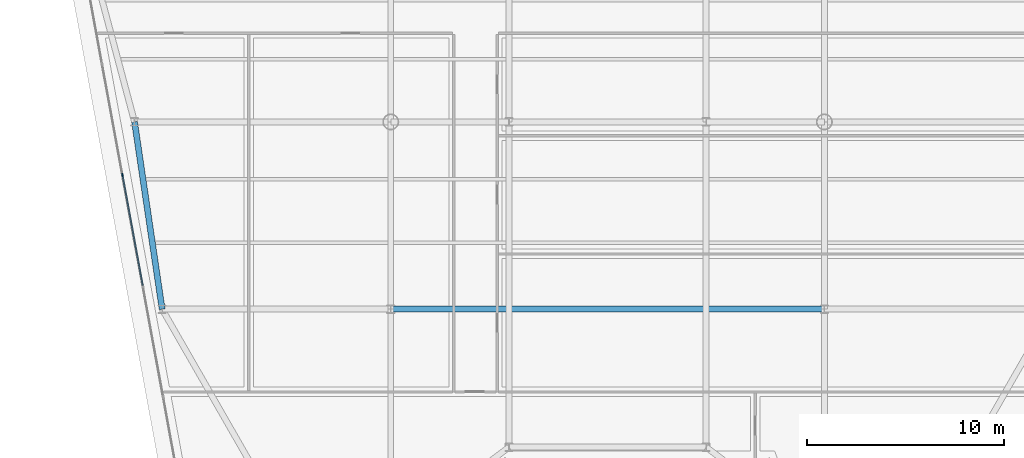
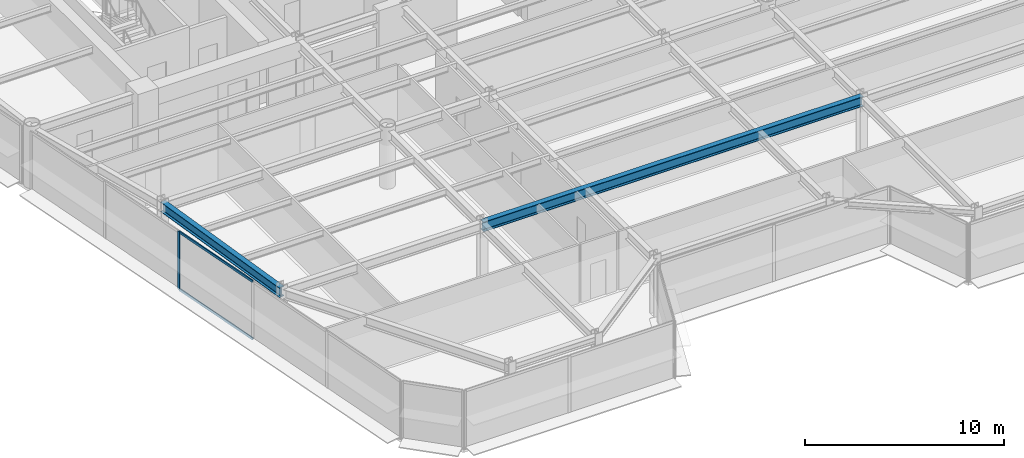
# One storey, part 3 of 16: 3 members, 2 beams, 1 element without a shape of its own.
"""IFC4 building model written with IfcOpenShell, lengths in metres."""

import ifcopenshell
import ifcopenshell.guid

model = None  # the IFC model being written
_history = None  # IfcOwnerHistory: only IFC2X3 demands one
_inside = {}  # id of a spatial element -> (the spatial element, [elements in it])
_under = {}  # id of a project, library or spatial element -> (it, [spatial elements below it])
_declared = {}  # id of a project -> (the project, [libraries it declares])
_typed = {}  # id of a type object -> (the type object, [elements of that type])
_made_of = {}  # id of a material, layer set ... -> (it, [elements and type objects made of it])


def new_model(schema):
    """Start an empty IFC model of exactly this schema.

    Asked for "IFC4X3", IfcOpenShell would pick the latest addendum, in which some entities
    have other attributes; the version numbers below select the first issue.
    IFC2X3 requires an IfcOwnerHistory on every rooted entity: one is made here for all.
    """
    global model, _history
    if schema == "IFC4X3":
        model = ifcopenshell.file(schema_version=(4, 3, 0, 0))
    else:
        model = ifcopenshell.file(schema=schema)
    _inside.clear()
    _under.clear()
    _declared.clear()
    _typed.clear()
    _made_of.clear()
    _history = None
    if model.schema == "IFC2X3":
        org = make("IfcOrganization", Name="unknown")
        user = make(
            "IfcPersonAndOrganization",
            ThePerson=make("IfcPerson", FamilyName="unknown"),
            TheOrganization=org,
        )
        app = make(
            "IfcApplication",
            ApplicationDeveloper=org,
            Version="unknown",
            ApplicationFullName="unknown",
            ApplicationIdentifier="unknown",
        )
        _history = make(
            "IfcOwnerHistory",
            OwningUser=user,
            OwningApplication=app,
            ChangeAction="ADDED",
            CreationDate=0,
        )
    return model


def make(cls, **values):
    """One entity of the class cls with the attributes given. An attribute that is None is left unset."""
    return model.create_entity(
        cls, **{name: value for name, value in values.items() if value is not None}
    )


def rooted(cls, **values):
    """An entity with a GlobalId (a new one), such as an element, a storey or a relation."""
    return make(cls, GlobalId=ifcopenshell.guid.new(), OwnerHistory=_history, **values)


def si_unit(unit_type, name, prefix=None):
    """IfcSIUnit, for example si_unit("LENGTHUNIT", "METRE", prefix="MILLI")."""
    return make("IfcSIUnit", UnitType=unit_type, Prefix=prefix, Name=name)


def assignment(units):
    """IfcUnitAssignment: the units of a project."""
    return None if units is None else make("IfcUnitAssignment", Units=units)


def point(xyz):
    """IfcCartesianPoint."""
    return None if xyz is None else make("IfcCartesianPoint", Coordinates=xyz)


def direction(xyz):
    """IfcDirection."""
    return None if xyz is None else make("IfcDirection", DirectionRatios=xyz)


def frame(location, z_axis=None, x_axis=None):
    """IfcAxis2Placement3D, a coordinate frame: its origin and axes. An axis left out is left unset."""
    return make(
        "IfcAxis2Placement3D",
        Location=point(location),
        Axis=direction(z_axis),
        RefDirection=direction(x_axis),
    )


def frame_2d(location, x_axis=None):
    """IfcAxis2Placement2D, a coordinate frame in the plane: its origin and x axis."""
    return make(
        "IfcAxis2Placement2D", Location=point(location), RefDirection=direction(x_axis)
    )


def origin():
    """The frame at (0, 0, 0) with its axes left unset."""
    return frame((0.0, 0.0, 0.0))


def origin_2d():
    """The frame at (0, 0) in the plane with its x axis left unset."""
    return frame_2d((0.0, 0.0))


def place(relative_to, where):
    """IfcLocalPlacement: puts the frame where relative to a parent placement (None: the world)."""
    return make(
        "IfcLocalPlacement", PlacementRelTo=relative_to, RelativePlacement=where
    )


def context(
    kind, dimensions, precision=None, world=None, true_north=None, identifier=None
):
    """IfcGeometricRepresentationContext, for example the 3D "Model" context."""
    return make(
        "IfcGeometricRepresentationContext",
        ContextIdentifier=identifier,
        ContextType=kind,
        CoordinateSpaceDimension=dimensions,
        Precision=precision,
        WorldCoordinateSystem=world,
        TrueNorth=true_north,
    )


def subcontext(parent, identifier, kind, view, scale=None):
    """IfcGeometricRepresentationSubContext, for example "Body" below "Model"."""
    return make(
        "IfcGeometricRepresentationSubContext",
        ContextIdentifier=identifier,
        ContextType=kind,
        ParentContext=parent,
        TargetScale=scale,
        TargetView=view,
    )


def project(units=None, contexts=None):
    """IfcProject with its units and contexts."""
    return rooted(
        "IfcProject",
        Name="project",
        RepresentationContexts=contexts,
        UnitsInContext=assignment(units),
    )


def spatial(cls, under=None, at=None, **own):
    """A site, building, storey or space (cls), placed at a placement, below another one or the project."""
    s = rooted(cls, ObjectPlacement=at, **own)
    if under is not None:
        _under.setdefault(under.id(), (under, []))[1].append(s)
    return s


def profile(cls, at=None, kind="AREA", **sizes):
    """A parametric profile (cls). Its sizes go by their IFC names, for example OverallWidth=200.0."""
    return make(cls, ProfileType=kind, Position=at, **sizes)


def rectangle(**sizes):
    """IfcRectangleProfileDef."""
    return profile("IfcRectangleProfileDef", **sizes)


def i_section(**sizes):
    """IfcIShapeProfileDef."""
    return profile("IfcIShapeProfileDef", **sizes)


def extrude(swept, where, along, depth):
    """IfcExtrudedAreaSolid: the profile swept, set in the frame where, extruded along a direction by depth."""
    return make(
        "IfcExtrudedAreaSolid",
        SweptArea=swept,
        Position=where,
        ExtrudedDirection=direction(along),
        Depth=depth,
    )


def shape(context_of_items, identifier, shape_type, items):
    """IfcShapeRepresentation: the items that make up one representation, for example the "Body"."""
    return make(
        "IfcShapeRepresentation",
        ContextOfItems=context_of_items,
        RepresentationIdentifier=identifier,
        RepresentationType=shape_type,
        Items=items,
    )


def source(mapping_origin, context_of_items, identifier, shape_type, items):
    """IfcRepresentationMap: a shape defined once, which mapped items show again and again."""
    return make(
        "IfcRepresentationMap",
        MappingOrigin=mapping_origin,
        MappedRepresentation=shape(context_of_items, identifier, shape_type, items),
    )


def transform(
    local_origin,
    x_axis=None,
    y_axis=None,
    z_axis=None,
    scale=None,
    scale2=None,
    scale3=None,
    uniform=True,
):
    """IfcCartesianTransformationOperator3D, or its non-uniform kind. x_axis, y_axis, z_axis: its Axis1, 2, 3."""
    if uniform:
        return make(
            "IfcCartesianTransformationOperator3D",
            Axis1=direction(x_axis),
            Axis2=direction(y_axis),
            LocalOrigin=point(local_origin),
            Scale=scale,
            Axis3=direction(z_axis),
        )
    return make(
        "IfcCartesianTransformationOperator3DnonUniform",
        Axis1=direction(x_axis),
        Axis2=direction(y_axis),
        LocalOrigin=point(local_origin),
        Scale=scale,
        Axis3=direction(z_axis),
        Scale2=scale2,
        Scale3=scale3,
    )


def mapped(mapping_source, mapping_target):
    """IfcMappedItem: shows the shape of a source again, moved by a transform."""
    return make(
        "IfcMappedItem", MappingSource=mapping_source, MappingTarget=mapping_target
    )


def material(Name=None, Category=None):
    """IfcMaterial."""
    return make("IfcMaterial", Name=Name, Category=Category)


def layer(
    of_material, thickness, ventilated=None, Name=None, Category=None, Priority=None
):
    """IfcMaterialLayer: one layer of a wall or slab, of a material (None: an air gap)."""
    return make(
        "IfcMaterialLayer",
        Material=of_material,
        LayerThickness=thickness,
        IsVentilated=ventilated,
        Name=Name,
        Category=Category,
        Priority=Priority,
    )


def layer_set(layers, Name=None):
    """IfcMaterialLayerSet."""
    return make("IfcMaterialLayerSet", MaterialLayers=layers, LayerSetName=Name)


def material_profile(
    of_material, cross_section, Name=None, Category=None, Priority=None
):
    """IfcMaterialProfile: a cross section and its material."""
    return make(
        "IfcMaterialProfile",
        Name=Name,
        Material=of_material,
        Profile=cross_section,
        Priority=Priority,
        Category=Category,
    )


def profile_set(profiles, Name=None, composite=None):
    """IfcMaterialProfileSet."""
    return make(
        "IfcMaterialProfileSet",
        Name=Name,
        MaterialProfiles=profiles,
        CompositeProfile=composite,
    )


def made_of(thing, what):
    """Note that an element or type object is made of a material, layer set ...; save() writes the relation."""
    if what is not None:
        _made_of.setdefault(what.id(), (what, []))[1].append(thing)
    return thing


def type_object(cls, material=None, **own):
    """A type object (cls), such as IfcWallType, which elements share."""
    return made_of(rooted(cls, **own), material)


def element(
    cls,
    number,
    at=None,
    inside=None,
    cuts=None,
    type_object=None,
    material=None,
    context=None,
    identifier="Body",
    shape_type=None,
    held_by="IfcProductDefinitionShape",
    body=None,
    shapes=None,
    **own,
):
    """One element of the class cls, such as IfcWall. Its Tag is "e" and its number.

    at: its placement. inside: the storey or other place that contains it. cuts: it is an
    opening in that element (IfcRelVoidsElement). A single representation is given by context,
    identifier, shape_type and body (its items); several are given by shapes. held_by: the class
    of the entity that holds the representations. save() writes the other relations.
    """
    e = rooted(cls, Tag="e%d" % number, ObjectPlacement=at, **own)
    if body is not None:
        shapes = [shape(context, identifier, shape_type, body)]
    if shapes is not None:
        e.Representation = make(held_by, Representations=shapes)
    if inside is not None:
        _inside.setdefault(inside.id(), (inside, []))[1].append(e)
    if cuts is not None:
        rooted(
            "IfcRelVoidsElement", RelatingBuildingElement=cuts, RelatedOpeningElement=e
        )
    if type_object is not None:
        _typed.setdefault(type_object.id(), (type_object, []))[1].append(e)
    return made_of(e, material)


def aggregate(whole, parts):
    """IfcRelAggregates: a whole, such as a stair, and the parts it consists of."""
    return rooted("IfcRelAggregates", RelatingObject=whole, RelatedObjects=parts)


def save(model, path):
    """Write the relations noted so far, then the file.

    IfcRelAggregates (storeys below a building ...), IfcRelContainedInSpatialStructure (elements
    in a storey), IfcRelDefinesByType, IfcRelAssociatesMaterial and IfcRelDeclares: one each for
    every whole, place, type object, material and project.
    """
    for whole, parts in _under.values():
        aggregate(whole, parts)
    for where, things in _inside.values():
        rooted(
            "IfcRelContainedInSpatialStructure",
            RelatedElements=things,
            RelatingStructure=where,
        )
    for kind, things in _typed.values():
        rooted("IfcRelDefinesByType", RelatedObjects=things, RelatingType=kind)
    for what, things in _made_of.values():
        rooted("IfcRelAssociatesMaterial", RelatedObjects=things, RelatingMaterial=what)
    for by, libraries in _declared.values():
        rooted("IfcRelDeclares", RelatingContext=by, RelatedDefinitions=libraries)
    model.write(path)


model = new_model("IFC4")

# Units and contexts
model_context = context("Model", 3, precision=1e-05, world=origin(), true_north=direction((0.0, 1.0)))
body_context = subcontext(model_context, "Body", "Model", "MODEL_VIEW")
ifc_project = project(units=[si_unit("LENGTHUNIT", "METRE"), si_unit("AREAUNIT", "SQUARE_METRE"), si_unit("VOLUMEUNIT", "CUBIC_METRE"), si_unit("PLANEANGLEUNIT", "RADIAN"), si_unit("MASSUNIT", "GRAM", prefix="KILO")], contexts=[model_context])

# Site, building, storey
site_placement = place(None, origin())
site = spatial("IfcSite", under=ifc_project, at=site_placement, CompositionType="ELEMENT")
building_placement = place(site_placement, origin())
building = spatial("IfcBuilding", under=site, at=building_placement, Name="Vaeldorn Concourse Tower", CompositionType="ELEMENT")
storey_placement = place(building_placement, frame((0.0, 0.0, 195.60009765625)))
storey = spatial("IfcBuildingStorey", under=building, at=storey_placement, Name="L50", CompositionType="ELEMENT", Elevation=195.60009765625)

# Beams
ifc_material_1 = material(Name="Steel S355", Category="steel")
ifc_material_profile_1 = material_profile(ifc_material_1, i_section(OverallWidth=0.300048828125, OverallDepth=0.60009765625, WebThickness=0.015380859375, FlangeThickness=0.030029296875, FilletRadius=0.027099609375, at=origin_2d()), Name="HEB 600")
ifc_profile_set_1 = profile_set([ifc_material_profile_1], Name="Steel S355")
beam_type = type_object("IfcBeamType", Name="BM-PG-HEB600", PredefinedType="BEAM", material=ifc_profile_set_1)
shared_shape_1 = source(origin(), body_context, "Body", "SweptSolid", [
    extrude(i_section(OverallWidth=0.300048828125, OverallDepth=0.60009765625, WebThickness=0.015380859375, FlangeThickness=0.030029296875, FilletRadius=0.027099609375, at=origin_2d()), origin(), (0.0, 0.0, 1.0), 9.6025390625),
])
beam_1_placement = place(storey_placement, frame((10.0, 27.5, 3.27978515625), z_axis=(0.145783835977, -0.989316467652, 0.0), x_axis=(0.989316467652, 0.145783835977, 0.0)))
element("IfcBeam", 1, at=beam_1_placement, inside=storey, type_object=beam_type, Name="Beam BM-L50-C-FLW1-C-FLW2", PredefinedType="BEAM", context=body_context, shape_type="MappedRepresentation", body=[
    mapped(shared_shape_1, transform((0.0, 0.0, 0.0), scale=1.0)),
])
shared_shape_2 = source(origin(), body_context, "Body", "SweptSolid", [
    extrude(i_section(OverallWidth=0.300048828125, OverallDepth=0.60009765625, WebThickness=0.015380859375, FlangeThickness=0.030029296875, FilletRadius=0.027099609375, at=origin_2d()), origin(), (0.0, 0.0, 1.0), 22.0),
])
beam_2_placement = place(storey_placement, frame((23.0, 18.0, 3.27978515625), z_axis=(1.0, 0.0, 0.0), x_axis=(0.0, 1.0, 0.0)))
element("IfcBeam", 2, at=beam_2_placement, inside=storey, type_object=beam_type, Name="Beam BM-L50-C-TW5-C-TW6", PredefinedType="BEAM", context=body_context, shape_type="MappedRepresentation", body=[
    mapped(shared_shape_2, transform((0.0, 0.0, 0.0), scale=1.0)),
])

# Curtain wall, members
ifc_material_2 = material(Name="Anodised Bronze Aluminium", Category="aluminium")
ifc_layer = layer(ifc_material_2, 0.18994140625)
ifc_layer_set = layer_set([ifc_layer], Name="Anodised Bronze Aluminium")
curtain_wall_type = type_object("IfcCurtainWallType", Name="CW-SYS-03", PredefinedType="NOTDEFINED", material=ifc_layer_set)
curtain_wall_placement = place(storey_placement, origin())
curtain_wall = element("IfcCurtainWall", 3, at=curtain_wall_placement, inside=storey, type_object=curtain_wall_type, Name="Unitised Curtain Wall CW-L50-E11-2", PredefinedType="NOTDEFINED")
ifc_material_profile_2 = material_profile(ifc_material_2, rectangle(XDim=0.06494140625, YDim=0.169921875, at=origin_2d()), Name="CWM 65x170")
ifc_profile_set_2 = profile_set([ifc_material_profile_2], Name="Anodised Bronze Aluminium")
member_type_1 = type_object("IfcMemberType", Name="CWM-BRONZE-170", PredefinedType="MULLION", material=ifc_profile_set_2)
shared_shape_3 = source(origin(), body_context, "Body", "SweptSolid", [
    extrude(rectangle(XDim=0.06494140625, YDim=0.169921875, at=origin_2d()), origin(), (0.0, 0.0, 1.0), 3.579833984375),
])
member_1_placement = place(storey_placement, frame((9.38623046875, 24.81005859375, 0.0), z_axis=(0.0, 0.0, 1.0), x_axis=(0.983559325018, 0.180585309951, 0.0)))
member_1 = element("IfcMember", 4, at=member_1_placement, type_object=member_type_1, Name="CW-03 mullion 3", PredefinedType="MULLION", context=body_context, shape_type="MappedRepresentation", body=[
    mapped(shared_shape_3, transform((0.0, 0.0, 0.0), scale=1.0)),
])
ifc_material_profile_3 = material_profile(ifc_material_2, rectangle(XDim=0.06494140625, YDim=0.14990234375, at=origin_2d()), Name="CWT 65x150")
ifc_profile_set_3 = profile_set([ifc_material_profile_3], Name="Anodised Bronze Aluminium")
member_type_2 = type_object("IfcMemberType", Name="CWT-BRONZE-150", PredefinedType="USERDEFINED", material=ifc_profile_set_3)
shared_shape_4 = source(origin(), body_context, "Body", "SweptSolid", [
    extrude(rectangle(XDim=0.06494140625, YDim=0.14990234375, at=origin_2d()), origin(), (0.0, 0.0, 1.0), 5.666015625),
])
member_2_placement = place(storey_placement, frame((9.39208984375, 24.778076171875, 0.032470703125), z_axis=(0.180587719149, -0.983558882677, 0.0), x_axis=(0.983558882677, 0.180587719149, 0.0)))
member_2 = element("IfcMember", 5, at=member_2_placement, type_object=member_type_2, Name="CW-03 transom 3.1", ObjectType="TRANSOM", PredefinedType="USERDEFINED", context=body_context, shape_type="MappedRepresentation", body=[
    mapped(shared_shape_4, transform((0.0, 0.0, 0.0), scale=1.0)),
])
member_3_placement = place(storey_placement, frame((9.39208984375, 24.778076171875, 3.54736328125), z_axis=(0.180587719149, -0.983558882677, 0.0), x_axis=(0.983558882677, 0.180587719149, 0.0)))
member_3 = element("IfcMember", 6, at=member_3_placement, type_object=member_type_2, Name="CW-03 transom 3.2", ObjectType="TRANSOM", PredefinedType="USERDEFINED", context=body_context, shape_type="MappedRepresentation", body=[
    mapped(shared_shape_4, transform((0.0, 0.0, 0.0), scale=1.0)),
])
aggregate(curtain_wall, [member_1, member_2, member_3])

save(model, "model.ifc")
